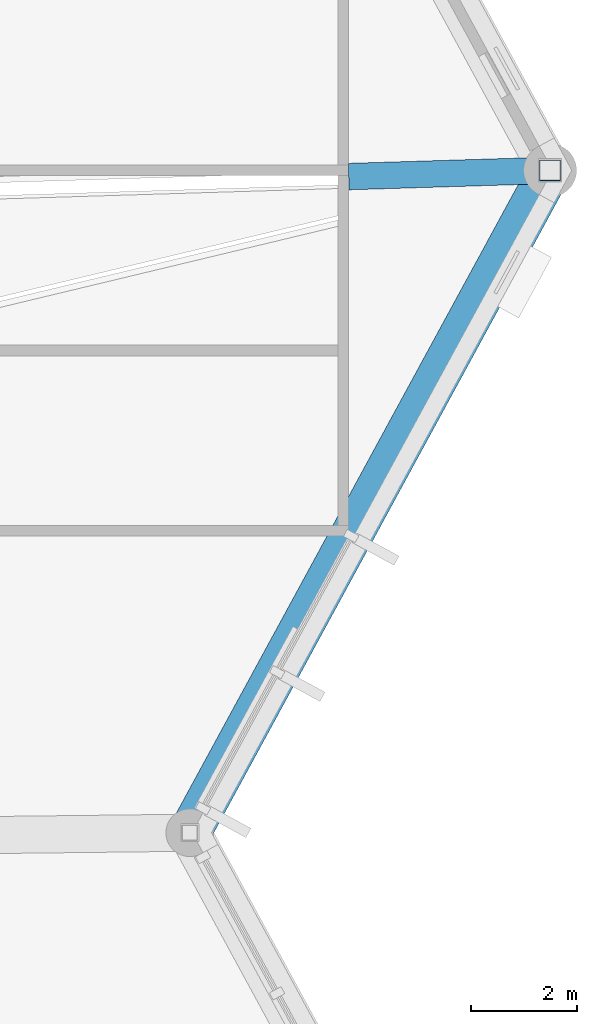
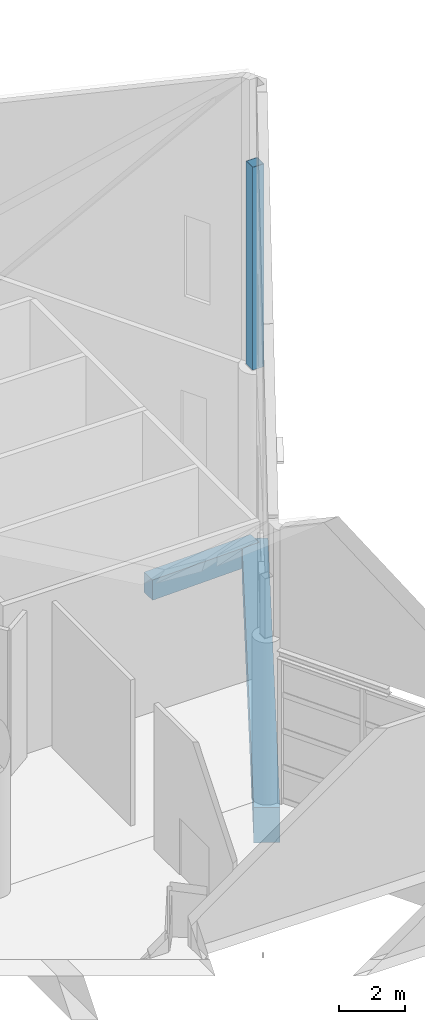
# One storey, part 116 of 344: 2 beams, 1 member.
"""IFC4 building model written with IfcOpenShell, lengths in metres."""

from ifc_helpers import new_model, si_unit, direction, frame, origin, origin_2d, place, context, subcontext, project, spatial, rectangle, hollow_rectangle, extrude, material, material_profile, profile_set, type_object, element, save


model = new_model("IFC4")

# Units and contexts
model_context = context("Model", 3, precision=1e-05, world=origin(), true_north=direction((0.0, 1.0)))
body_context = subcontext(model_context, "Body", "Model", "MODEL_VIEW")
ifc_project = project(units=[si_unit("LENGTHUNIT", "METRE"), si_unit("AREAUNIT", "SQUARE_METRE"), si_unit("VOLUMEUNIT", "CUBIC_METRE"), si_unit("PLANEANGLEUNIT", "RADIAN"), si_unit("MASSUNIT", "GRAM", prefix="KILO")], contexts=[model_context])

# Site, building, storey
site_placement = place(None, origin())
site = spatial("IfcSite", under=ifc_project, at=site_placement, CompositionType="ELEMENT")
building_placement = place(site_placement, origin())
building = spatial("IfcBuilding", under=site, at=building_placement, Name="Meseta Stadium", CompositionType="ELEMENT")
storey_placement = place(building_placement, frame((0.0, 0.0, 24.0)))
storey = spatial("IfcBuildingStorey", under=building, at=storey_placement, Name="L04", CompositionType="ELEMENT", Elevation=24.0)

# Beams
ifc_material_1 = material(Name="Concrete C40/50", Category="concrete")
ifc_material_profile_1 = material_profile(ifc_material_1, rectangle(XDim=0.5, YDim=0.75, at=origin_2d()), Name="RC 500x750")
ifc_profile_set_1 = profile_set([ifc_material_profile_1], Name="Concrete C40/50")
beam_type_1 = type_object("IfcBeamType", Name="RC beam 500x750", PredefinedType="BEAM", material=ifc_profile_set_1)
beam_1_placement = place(storey_placement, frame((97.60009765625, 18.6328125, -0.77490234375), z_axis=(0.99952477381, 0.030825744759, 0.0), x_axis=(-0.030825744759, 0.99952477381, 0.0)))
element("IfcBeam", 1, at=beam_1_placement, inside=storey, type_object=beam_type_1, Name="L04 radial beam frame 6 line P to R", PredefinedType="BEAM", context=body_context, shape_type="SweptSolid", body=[
    extrude(rectangle(XDim=0.5, YDim=0.75, at=origin_2d()), origin(), (0.0, 0.0, 1.0), 3.801513671875),
])
ifc_material_2 = material(Name="Concrete C40/50", Category="concrete")
ifc_material_profile_2 = material_profile(ifc_material_2, rectangle(XDim=0.800048828125, YDim=1.300048828125, at=origin_2d()), Name="RC 800x1300")
ifc_profile_set_2 = profile_set([ifc_material_profile_2], Name="Concrete C40/50")
beam_type_2 = type_object("IfcBeamType", Name="RC beam 800x1300", PredefinedType="BEAM", material=ifc_profile_set_2)
beam_2_placement = place(storey_placement, frame((94.60009765625, 6.25, -1.050048828125), z_axis=(0.47785649891, 0.878437912689, 0.0), x_axis=(-0.878437912689, 0.47785649891, 0.0)))
element("IfcBeam", 2, at=beam_2_placement, inside=storey, type_object=beam_type_2, Name="L04 ring beam frame 5 line R", PredefinedType="BEAM", context=body_context, shape_type="SweptSolid", body=[
    extrude(rectangle(XDim=0.800048828125, YDim=1.300048828125, at=origin_2d()), origin(), (0.0, 0.0, 1.0), 14.229736328125),
])

# Member
ifc_material_3 = material(Name="Steel S355", Category="steel")
ifc_material_profile_3 = material_profile(ifc_material_3, hollow_rectangle(XDim=0.39990234375, YDim=0.39990234375, WallThickness=0.01416015625, at=origin_2d()), Name="SHS 400x400x14.2")
ifc_profile_set_3 = profile_set([ifc_material_profile_3], Name="Steel S355")
member_type = type_object("IfcMemberType", Name="SHS 400x400x14.2 rim post", PredefinedType="POST", material=ifc_profile_set_3)
member_placement = place(storey_placement, frame((101.39990234375, 18.75, 6.0), z_axis=(0.0, 0.0, 1.0), x_axis=(1.0, 0.0, 0.0)))
element("IfcMember", 3, at=member_placement, inside=storey, type_object=member_type, Name="ROOF RIM POST RT-06", PredefinedType="POST", context=body_context, shape_type="SweptSolid", body=[
    extrude(hollow_rectangle(XDim=0.39990234375, YDim=0.39990234375, WallThickness=0.01416015625, at=origin_2d()), origin(), (0.0, 0.0, 1.0), 7.501220703125),
])

save(model, "model.ifc")
